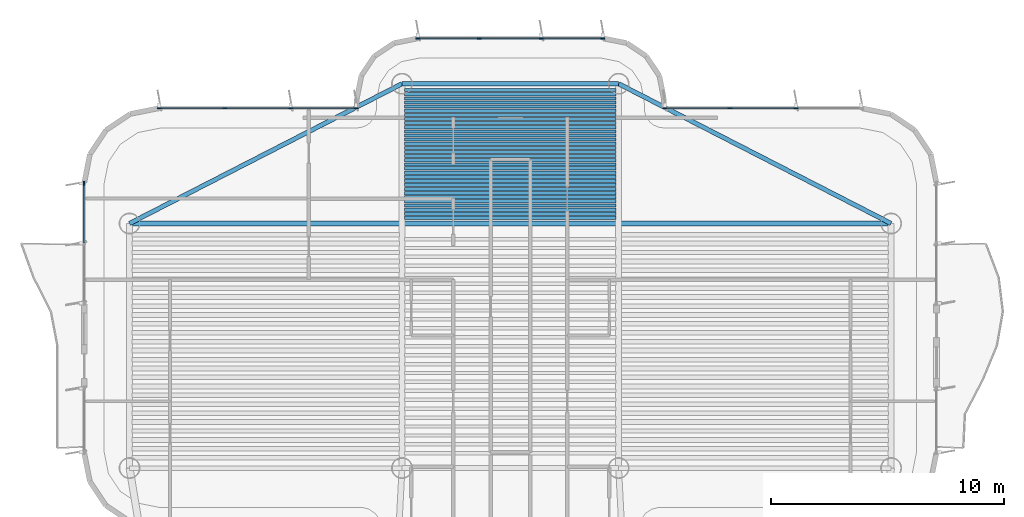
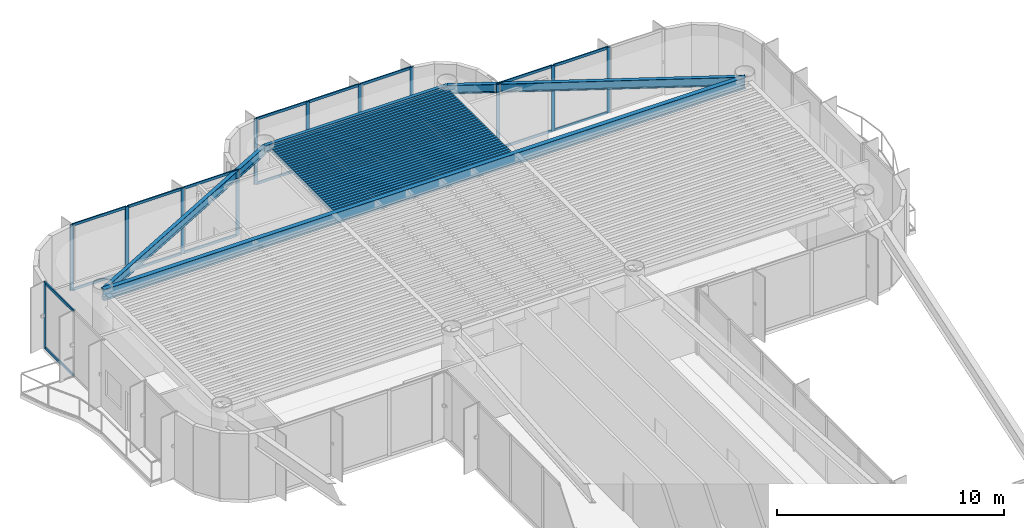
# One storey, part 7 of 15: 36 beams, 30 members, 4 elements without a shape of their own.
"""IFC4 building model written with IfcOpenShell, lengths in metres."""

from ifc_helpers import new_model, si_unit, direction, frame, origin, origin_2d, place, context, subcontext, project, spatial, rectangle, i_section, extrude, source, transform, mapped, material, layer, layer_set, material_profile, profile_set, type_object, element, aggregate, save


model = new_model("IFC4")

# Units and contexts
model_context = context("Model", 3, precision=1e-05, world=origin(), true_north=direction((0.0, 1.0)))
body_context = subcontext(model_context, "Body", "Model", "MODEL_VIEW")
ifc_project = project(units=[si_unit("LENGTHUNIT", "METRE"), si_unit("AREAUNIT", "SQUARE_METRE"), si_unit("VOLUMEUNIT", "CUBIC_METRE"), si_unit("PLANEANGLEUNIT", "RADIAN"), si_unit("MASSUNIT", "GRAM", prefix="KILO")], contexts=[model_context])

# Site, building, storey
site_placement = place(None, origin())
site = spatial("IfcSite", under=ifc_project, at=site_placement, CompositionType="ELEMENT")
building_placement = place(site_placement, origin())
building = spatial("IfcBuilding", under=site, at=building_placement, Name="Brelvock Crest Care Tower", CompositionType="ELEMENT")
storey_placement = place(building_placement, frame((0.0, 0.0, 275.93994140625)))
storey = spatial("IfcBuildingStorey", under=building, at=storey_placement, Name="L70", CompositionType="ELEMENT", Elevation=275.93994140625)

# Beams
ifc_material_1 = material(Name="Steel Grade 350", Category="steel")
ifc_material_profile_1 = material_profile(ifc_material_1, i_section(OverallWidth=0.177978515625, OverallDepth=0.406005859375, WebThickness=0.0078125, FlangeThickness=0.0126953125, FilletRadius=0.011474609375, at=origin_2d()), Name="410UB59.7")
ifc_profile_set_1 = profile_set([ifc_material_profile_1], Name="Steel Grade 350")
beam_type_1 = type_object("IfcBeamType", Name="BM-SP1", PredefinedType="SPANDREL", material=ifc_profile_set_1)
shared_shape_1 = source(origin(), body_context, "Body", "SweptSolid", [
    extrude(i_section(OverallWidth=0.177978515625, OverallDepth=0.406005859375, WebThickness=0.0078125, FlangeThickness=0.0126953125, FilletRadius=0.011474609375, at=origin_2d()), origin(), (0.0, 0.0, 1.0), 9.2998046875),
])
beam_1_placement = place(storey_placement, frame((31.35009765625, 60.449951171875, 3.3271484375), z_axis=(1.0, 0.0, 0.0), x_axis=(0.0, 1.0, 0.0)))
element("IfcBeam", 1, at=beam_1_placement, inside=storey, type_object=beam_type_1, Name="BM-TWR-L70-08", PredefinedType="SPANDREL", context=body_context, shape_type="MappedRepresentation", body=[
    mapped(shared_shape_1, transform((0.0, 0.0, 0.0), x_axis=(1.0, 0.0, 0.0), y_axis=(0.0, 1.0, 0.0), z_axis=(0.0, 0.0, 1.0), scale=1.0)),
])
ifc_material_profile_2 = material_profile(ifc_material_1, i_section(OverallWidth=0.14599609375, OverallDepth=0.256103515625, WebThickness=0.00634765625, FlangeThickness=0.010986328125, FilletRadius=0.0087890625, at=origin_2d()), Name="250UB37.3")
ifc_profile_set_2 = profile_set([ifc_material_profile_2], Name="Steel Grade 350")
beam_type_2 = type_object("IfcBeamType", Name="BM-J3", PredefinedType="JOIST", material=ifc_profile_set_2)
shared_shape_2 = source(origin(), body_context, "Body", "SweptSolid", [
    extrude(i_section(OverallWidth=0.14599609375, OverallDepth=0.256103515625, WebThickness=0.00634765625, FlangeThickness=0.010986328125, FilletRadius=0.0087890625, at=origin_2d()), origin(), (0.0, 0.0, 1.0), 9.06982421875),
])
for number, where, z_axis, x_axis, name in (
    (2, (31.465087890625, 54.68994140625, 3.402099609375), (1.0, 0.0, 0.0), (0.0, 1.0, 0.0), "BM-JN-L70-1"),
    (3, (31.465087890625, 54.866943359375, 3.402099609375), (1.0, 0.0, 0.0), (0.0, 1.0, 0.0), "BM-JN-L70-2"),
    (4, (31.465087890625, 55.0439453125, 3.402099609375), (1.0, 0.0, 0.0), (0.0, 1.0, 0.0), "BM-JN-L70-3"),
    (5, (31.465087890625, 55.220947265625, 3.402099609375), (1.0, 0.0, 0.0), (0.0, 1.0, 0.0), "BM-JN-L70-4"),
    (6, (31.465087890625, 55.39794921875, 3.402099609375), (1.0, 0.0, 0.0), (0.0, 1.0, 0.0), "BM-JN-L70-5"),
    (7, (31.465087890625, 55.574951171875, 3.402099609375), (1.0, 0.0, 0.0), (0.0, 1.0, 0.0), "BM-JN-L70-6"),
    (8, (31.465087890625, 55.751953125, 3.402099609375), (1.0, 0.0, 0.0), (0.0, 1.0, 0.0), "BM-JN-L70-7"),
    (9, (31.465087890625, 55.928955078125, 3.402099609375), (1.0, 0.0, 0.0), (0.0, 1.0, 0.0), "BM-JN-L70-8"),
    (10, (31.465087890625, 56.10595703125, 3.402099609375), (1.0, 0.0, 0.0), (0.0, 1.0, 0.0), "BM-JN-L70-9"),
    (11, (31.465087890625, 56.282958984375, 3.402099609375), (1.0, 0.0, 0.0), (0.0, 1.0, 0.0), "BM-JN-L70-10"),
    (12, (31.465087890625, 56.4599609375, 3.402099609375), (1.0, 0.0, 0.0), (0.0, 1.0, 0.0), "BM-JN-L70-11"),
    (13, (31.465087890625, 56.636962890625, 3.402099609375), (1.0, 0.0, 0.0), (0.0, 1.0, 0.0), "BM-JN-L70-12"),
    (14, (31.465087890625, 56.81396484375, 3.402099609375), (1.0, 0.0, 0.0), (0.0, 1.0, 0.0), "BM-JN-L70-13"),
):
    element("IfcBeam", number, at=place(storey_placement, frame(where, z_axis=z_axis, x_axis=x_axis)), inside=storey, type_object=beam_type_2, Name=name, PredefinedType="JOIST", context=body_context, shape_type="MappedRepresentation", body=[
        mapped(shared_shape_2, transform((0.0, 0.0, 0.0), x_axis=(1.0, 0.0, 0.0), y_axis=(0.0, 1.0, 0.0), z_axis=(0.0, 0.0, 1.0), scale=1.0)),
    ])
ifc_material_profile_3 = material_profile(ifc_material_1, i_section(OverallWidth=0.134033203125, OverallDepth=0.20703125, WebThickness=0.00634765625, FlangeThickness=0.009521484375, FilletRadius=0.0087890625, at=origin_2d()), Name="200UB29.8")
ifc_profile_set_3 = profile_set([ifc_material_profile_3], Name="Steel Grade 350")
beam_type_3 = type_object("IfcBeamType", Name="BM-J4", PredefinedType="JOIST", material=ifc_profile_set_3)
shared_shape_3 = source(origin(), body_context, "Body", "SweptSolid", [
    extrude(i_section(OverallWidth=0.134033203125, OverallDepth=0.20703125, WebThickness=0.00634765625, FlangeThickness=0.009521484375, FilletRadius=0.0087890625, at=origin_2d()), origin(), (0.0, 0.0, 1.0), 9.06982421875),
])
for number, where, z_axis, x_axis, name in (
    (15, (31.465087890625, 56.990966796875, 3.426513671875), (1.0, 0.0, 0.0), (0.0, 1.0, 0.0), "BM-JN-L70-14"),
    (16, (31.465087890625, 57.16796875, 3.426513671875), (1.0, 0.0, 0.0), (0.0, 1.0, 0.0), "BM-JN-L70-15"),
    (17, (31.465087890625, 57.344970703125, 3.426513671875), (1.0, 0.0, 0.0), (0.0, 1.0, 0.0), "BM-JN-L70-16"),
    (18, (31.465087890625, 57.52197265625, 3.426513671875), (1.0, 0.0, 0.0), (0.0, 1.0, 0.0), "BM-JN-L70-17"),
    (19, (31.465087890625, 57.698974609375, 3.426513671875), (1.0, 0.0, 0.0), (0.0, 1.0, 0.0), "BM-JN-L70-18"),
    (20, (31.465087890625, 57.8759765625, 3.426513671875), (1.0, 0.0, 0.0), (0.0, 1.0, 0.0), "BM-JN-L70-19"),
    (21, (31.465087890625, 58.052978515625, 3.426513671875), (1.0, 0.0, 0.0), (0.0, 1.0, 0.0), "BM-JN-L70-20"),
    (22, (31.465087890625, 58.22998046875, 3.426513671875), (1.0, 0.0, 0.0), (0.0, 1.0, 0.0), "BM-JN-L70-21"),
    (23, (31.465087890625, 58.406982421875, 3.426513671875), (1.0, 0.0, 0.0), (0.0, 1.0, 0.0), "BM-JN-L70-22"),
    (24, (31.465087890625, 58.583984375, 3.426513671875), (1.0, 0.0, 0.0), (0.0, 1.0, 0.0), "BM-JN-L70-23"),
    (25, (31.465087890625, 58.760986328125, 3.426513671875), (1.0, 0.0, 0.0), (0.0, 1.0, 0.0), "BM-JN-L70-24"),
    (26, (31.465087890625, 58.93798828125, 3.426513671875), (1.0, 0.0, 0.0), (0.0, 1.0, 0.0), "BM-JN-L70-25"),
    (27, (31.465087890625, 59.114990234375, 3.426513671875), (1.0, 0.0, 0.0), (0.0, 1.0, 0.0), "BM-JN-L70-26"),
    (28, (31.465087890625, 59.2919921875, 3.426513671875), (1.0, 0.0, 0.0), (0.0, 1.0, 0.0), "BM-JN-L70-27"),
    (29, (31.465087890625, 59.468994140625, 3.426513671875), (1.0, 0.0, 0.0), (0.0, 1.0, 0.0), "BM-JN-L70-28"),
    (30, (31.465087890625, 59.64599609375, 3.426513671875), (1.0, 0.0, 0.0), (0.0, 1.0, 0.0), "BM-JN-L70-29"),
    (31, (31.465087890625, 59.822998046875, 3.426513671875), (1.0, 0.0, 0.0), (0.0, 1.0, 0.0), "BM-JN-L70-30"),
    (32, (31.465087890625, 60.0, 3.426513671875), (1.0, 0.0, 0.0), (0.0, 1.0, 0.0), "BM-JN-L70-31"),
    (33, (31.465087890625, 60.177001953125, 3.426513671875), (1.0, 0.0, 0.0), (0.0, 1.0, 0.0), "BM-JN-L70-32"),
):
    element("IfcBeam", number, at=place(storey_placement, frame(where, z_axis=z_axis, x_axis=x_axis)), inside=storey, type_object=beam_type_3, Name=name, PredefinedType="JOIST", context=body_context, shape_type="MappedRepresentation", body=[
        mapped(shared_shape_3, transform((0.0, 0.0, 0.0), x_axis=(1.0, 0.0, 0.0), y_axis=(0.0, 1.0, 0.0), z_axis=(0.0, 0.0, 1.0), scale=1.0)),
    ])
ifc_material_profile_4 = material_profile(ifc_material_1, i_section(OverallWidth=0.19091796875, OverallDepth=0.4599609375, WebThickness=0.010009765625, FlangeThickness=0.01611328125, FilletRadius=0.011474609375, at=origin_2d()), Name="460UB82.1")
ifc_profile_set_4 = profile_set([ifc_material_profile_4], Name="Steel Grade 350")
beam_type_4 = type_object("IfcBeamType", Name="BM-SP2", PredefinedType="SPANDREL", material=ifc_profile_set_4)
shared_shape_4 = source(origin(), body_context, "Body", "SweptSolid", [
    extrude(i_section(OverallWidth=0.19091796875, OverallDepth=0.4599609375, WebThickness=0.010009765625, FlangeThickness=0.01611328125, FilletRadius=0.011474609375, at=origin_2d()), origin(), (0.0, 0.0, 1.0), 13.14892578125),
])
for number, where, z_axis, x_axis, name in (
    (34, (19.64990234375, 54.449951171875, 3.300048828125), (0.889820555736, 0.456310616346, 0.0), (-0.456310616346, 0.889820555736, 0.0), "BM-TWR-L70-06"),
    (35, (40.64990234375, 60.449951171875, 3.300048828125), (0.889820555736, -0.456310616346, 0.0), (0.456310616346, 0.889820555736, 0.0), "BM-TWR-L70-07"),
):
    element("IfcBeam", number, at=place(storey_placement, frame(where, z_axis=z_axis, x_axis=x_axis)), inside=storey, type_object=beam_type_4, Name=name, PredefinedType="SPANDREL", context=body_context, shape_type="MappedRepresentation", body=[
        mapped(shared_shape_4, transform((0.0, 0.0, 0.0), x_axis=(1.0, 0.0, 0.0), y_axis=(0.0, 1.0, 0.0), z_axis=(0.0, 0.0, 1.0), scale=1.0)),
    ])
ifc_material_profile_5 = material_profile(ifc_material_1, i_section(OverallWidth=0.22900390625, OverallDepth=0.612060546875, WebThickness=0.011962890625, FlangeThickness=0.01953125, FilletRadius=0.013916015625, at=origin_2d()), Name="610UB125")
ifc_profile_set_5 = profile_set([ifc_material_profile_5], Name="Steel Grade 350")
beam_type_5 = type_object("IfcBeamType", Name="BM-G1", PredefinedType="BEAM", material=ifc_profile_set_5)
shared_shape_5 = source(origin(), body_context, "Body", "SweptSolid", [
    extrude(i_section(OverallWidth=0.22900390625, OverallDepth=0.612060546875, WebThickness=0.011962890625, FlangeThickness=0.01953125, FilletRadius=0.013916015625, at=origin_2d()), origin(), (0.0, 0.0, 1.0), 32.7001953125),
])
beam_2_placement = place(storey_placement, frame((19.64990234375, 54.449951171875, 3.22412109375), z_axis=(1.0, 0.0, 0.0), x_axis=(0.0, 1.0, 0.0)))
element("IfcBeam", 36, at=beam_2_placement, inside=storey, type_object=beam_type_5, Name="BM-TWR-L70-11", PredefinedType="BEAM", context=body_context, shape_type="MappedRepresentation", body=[
    mapped(shared_shape_5, transform((0.0, 0.0, 0.0), x_axis=(1.0, 0.0, 0.0), y_axis=(0.0, 1.0, 0.0), z_axis=(0.0, 0.0, 1.0), scale=1.0)),
])

# Curtain wall, member
ifc_material_2 = material(Name="Dark Glass Double Glazed Low-E", Category="glass")
ifc_layer = layer(ifc_material_2, 0.239990234375, Name="CWS-5")
ifc_layer_set = layer_set([ifc_layer], Name="Dark Glass Double Glazed Low-E")
curtain_wall_type = type_object("IfcCurtainWallType", Name="CWS-5", PredefinedType="NOTDEFINED", material=ifc_layer_set)
curtain_wall_1_placement = place(storey_placement, origin())
curtain_wall_1 = element("IfcCurtainWall", 37, at=curtain_wall_1_placement, inside=storey, type_object=curtain_wall_type, Name="L70 Curtain Wall E17B", PredefinedType="NOTDEFINED")
ifc_material_3 = material(Name="Aluminium 6063-T6", Category="aluminium")
ifc_material_profile_6 = material_profile(ifc_material_3, rectangle(XDim=0.06005859375, YDim=0.179931640625, at=origin_2d()), Name="ALU60x180")
ifc_profile_set_6 = profile_set([ifc_material_profile_6], Name="Aluminium 6063-T6")
member_type_1 = type_object("IfcMemberType", Name="CWM-2", PredefinedType="MULLION", material=ifc_profile_set_6)
shared_shape_6 = source(origin(), body_context, "Body", "SweptSolid", [
    extrude(rectangle(XDim=0.06005859375, YDim=0.179931640625, at=origin_2d()), origin(), (0.0, 0.0, 1.0), 3.530029296875),
])
member_1_placement = place(storey_placement, frame((17.699951171875, 56.169921875, 0.0), z_axis=(0.0, 0.0, 1.0), x_axis=(-1.0, 0.0, 0.0)))
member_1 = element("IfcMember", 38, at=member_1_placement, type_object=member_type_1, Name="CW-5 mullion 3", PredefinedType="MULLION", context=body_context, shape_type="MappedRepresentation", body=[
    mapped(shared_shape_6, transform((0.0, 0.0, 0.0), x_axis=(1.0, 0.0, 0.0), y_axis=(0.0, 1.0, 0.0), z_axis=(0.0, 0.0, 1.0), scale=1.0)),
])

# Curtain wall, members
curtain_wall_2_placement = place(storey_placement, origin())
curtain_wall_2 = element("IfcCurtainWall", 39, at=curtain_wall_2_placement, inside=storey, type_object=curtain_wall_type, Name="L70 Curtain Wall E22", PredefinedType="NOTDEFINED")
member_2_placement = place(storey_placement, frame((20.929931640625, 59.39990234375, 0.0), z_axis=(0.0, 0.0, 1.0), x_axis=(0.0, 1.0, 0.0)))
member_2 = element("IfcMember", 40, at=member_2_placement, type_object=member_type_1, Name="CW-5 mullion 1", PredefinedType="MULLION", context=body_context, shape_type="MappedRepresentation", body=[
    mapped(shared_shape_6, transform((0.0, 0.0, 0.0), x_axis=(1.0, 0.0, 0.0), y_axis=(0.0, 1.0, 0.0), z_axis=(0.0, 0.0, 1.0), scale=1.0)),
])
member_3_placement = place(storey_placement, frame((23.7333984375, 59.39990234375, 0.0), z_axis=(0.0, 0.0, 1.0), x_axis=(0.0, 1.0, 0.0)))
member_3 = element("IfcMember", 41, at=member_3_placement, type_object=member_type_1, Name="CW-5 mullion 2", PredefinedType="MULLION", context=body_context, shape_type="MappedRepresentation", body=[
    mapped(shared_shape_6, transform((0.0, 0.0, 0.0), x_axis=(1.0, 0.0, 0.0), y_axis=(0.0, 1.0, 0.0), z_axis=(0.0, 0.0, 1.0), scale=1.0)),
])
member_4_placement = place(storey_placement, frame((26.566650390625, 59.39990234375, 0.0), z_axis=(0.0, 0.0, 1.0), x_axis=(0.0, 1.0, 0.0)))
member_4 = element("IfcMember", 42, at=member_4_placement, type_object=member_type_1, Name="CW-5 mullion 3", PredefinedType="MULLION", context=body_context, shape_type="MappedRepresentation", body=[
    mapped(shared_shape_6, transform((0.0, 0.0, 0.0), x_axis=(1.0, 0.0, 0.0), y_axis=(0.0, 1.0, 0.0), z_axis=(0.0, 0.0, 1.0), scale=1.0)),
])
member_5_placement = place(storey_placement, frame((29.3701171875, 59.39990234375, 0.0), z_axis=(0.0, 0.0, 1.0), x_axis=(0.0, 1.0, 0.0)))
member_5 = element("IfcMember", 43, at=member_5_placement, type_object=member_type_1, Name="CW-5 mullion 4", PredefinedType="MULLION", context=body_context, shape_type="MappedRepresentation", body=[
    mapped(shared_shape_6, transform((0.0, 0.0, 0.0), x_axis=(1.0, 0.0, 0.0), y_axis=(0.0, 1.0, 0.0), z_axis=(0.0, 0.0, 1.0), scale=1.0)),
])

curtain_wall_3_placement = place(storey_placement, origin())
curtain_wall_3 = element("IfcCurtainWall", 44, at=curtain_wall_3_placement, inside=storey, type_object=curtain_wall_type, Name="L70 Curtain Wall E28", PredefinedType="NOTDEFINED")
member_6_placement = place(storey_placement, frame((32.030029296875, 62.39990234375, 0.0), z_axis=(0.0, 0.0, 1.0), x_axis=(0.0, 1.0, 0.0)))
member_6 = element("IfcMember", 45, at=member_6_placement, type_object=member_type_1, Name="CW-5 mullion 1", PredefinedType="MULLION", context=body_context, shape_type="MappedRepresentation", body=[
    mapped(shared_shape_6, transform((0.0, 0.0, 0.0), x_axis=(1.0, 0.0, 0.0), y_axis=(0.0, 1.0, 0.0), z_axis=(0.0, 0.0, 1.0), scale=1.0)),
])
member_7_placement = place(storey_placement, frame((34.666748046875, 62.39990234375, 0.0), z_axis=(0.0, 0.0, 1.0), x_axis=(0.0, 1.0, 0.0)))
member_7 = element("IfcMember", 46, at=member_7_placement, type_object=member_type_1, Name="CW-5 mullion 2", PredefinedType="MULLION", context=body_context, shape_type="MappedRepresentation", body=[
    mapped(shared_shape_6, transform((0.0, 0.0, 0.0), x_axis=(1.0, 0.0, 0.0), y_axis=(0.0, 1.0, 0.0), z_axis=(0.0, 0.0, 1.0), scale=1.0)),
])
member_8_placement = place(storey_placement, frame((37.333251953125, 62.39990234375, 0.0), z_axis=(0.0, 0.0, 1.0), x_axis=(0.0, 1.0, 0.0)))
member_8 = element("IfcMember", 47, at=member_8_placement, type_object=member_type_1, Name="CW-5 mullion 3", PredefinedType="MULLION", context=body_context, shape_type="MappedRepresentation", body=[
    mapped(shared_shape_6, transform((0.0, 0.0, 0.0), x_axis=(1.0, 0.0, 0.0), y_axis=(0.0, 1.0, 0.0), z_axis=(0.0, 0.0, 1.0), scale=1.0)),
])
member_9_placement = place(storey_placement, frame((39.969970703125, 62.39990234375, 0.0), z_axis=(0.0, 0.0, 1.0), x_axis=(0.0, 1.0, 0.0)))
member_9 = element("IfcMember", 48, at=member_9_placement, type_object=member_type_1, Name="CW-5 mullion 4", PredefinedType="MULLION", context=body_context, shape_type="MappedRepresentation", body=[
    mapped(shared_shape_6, transform((0.0, 0.0, 0.0), x_axis=(1.0, 0.0, 0.0), y_axis=(0.0, 1.0, 0.0), z_axis=(0.0, 0.0, 1.0), scale=1.0)),
])

curtain_wall_4_placement = place(storey_placement, origin())
curtain_wall_4 = element("IfcCurtainWall", 49, at=curtain_wall_4_placement, inside=storey, type_object=curtain_wall_type, Name="L70 Curtain Wall E34", PredefinedType="NOTDEFINED")
member_10_placement = place(storey_placement, frame((42.6298828125, 59.39990234375, 0.0), z_axis=(0.0, 0.0, 1.0), x_axis=(0.0, 1.0, 0.0)))
member_10 = element("IfcMember", 50, at=member_10_placement, type_object=member_type_1, Name="CW-5 mullion 1", PredefinedType="MULLION", context=body_context, shape_type="MappedRepresentation", body=[
    mapped(shared_shape_6, transform((0.0, 0.0, 0.0), x_axis=(1.0, 0.0, 0.0), y_axis=(0.0, 1.0, 0.0), z_axis=(0.0, 0.0, 1.0), scale=1.0)),
])
member_11_placement = place(storey_placement, frame((45.433349609375, 59.39990234375, 0.0), z_axis=(0.0, 0.0, 1.0), x_axis=(0.0, 1.0, 0.0)))
member_11 = element("IfcMember", 51, at=member_11_placement, type_object=member_type_1, Name="CW-5 mullion 2", PredefinedType="MULLION", context=body_context, shape_type="MappedRepresentation", body=[
    mapped(shared_shape_6, transform((0.0, 0.0, 0.0), x_axis=(1.0, 0.0, 0.0), y_axis=(0.0, 1.0, 0.0), z_axis=(0.0, 0.0, 1.0), scale=1.0)),
])
member_12_placement = place(storey_placement, frame((48.2666015625, 59.39990234375, 0.0), z_axis=(0.0, 0.0, 1.0), x_axis=(0.0, 1.0, 0.0)))
member_12 = element("IfcMember", 52, at=member_12_placement, type_object=member_type_1, Name="CW-5 mullion 3", PredefinedType="MULLION", context=body_context, shape_type="MappedRepresentation", body=[
    mapped(shared_shape_6, transform((0.0, 0.0, 0.0), x_axis=(1.0, 0.0, 0.0), y_axis=(0.0, 1.0, 0.0), z_axis=(0.0, 0.0, 1.0), scale=1.0)),
])

# Member
ifc_material_profile_7 = material_profile(ifc_material_3, rectangle(XDim=0.06005859375, YDim=0.139892578125, at=origin_2d()), Name="ALU60x140")
ifc_profile_set_7 = profile_set([ifc_material_profile_7], Name="Aluminium 6063-T6")
member_type_2 = type_object("IfcMemberType", Name="CWT-2", PredefinedType="USERDEFINED", material=ifc_profile_set_7)
shared_shape_7 = source(origin(), body_context, "Body", "SweptSolid", [
    extrude(rectangle(XDim=0.06005859375, YDim=0.139892578125, at=origin_2d()), origin(), (0.0, 0.0, 1.0), 2.57666015625),
])
member_13_placement = place(storey_placement, frame((32.06005859375, 62.39990234375, 0.030029296875), z_axis=(1.0, 0.0, 0.0), x_axis=(0.0, 1.0, 0.0)))
member_13 = element("IfcMember", 53, at=member_13_placement, type_object=member_type_2, Name="CW-5 transom 1.1", ObjectType="TRANSOM", PredefinedType="USERDEFINED", context=body_context, shape_type="MappedRepresentation", body=[
    mapped(shared_shape_7, transform((0.0, 0.0, 0.0), x_axis=(1.0, 0.0, 0.0), y_axis=(0.0, 1.0, 0.0), z_axis=(0.0, 0.0, 1.0), scale=1.0)),
])

member_14_placement = place(storey_placement, frame((32.06005859375, 62.39990234375, 3.5), z_axis=(1.0, 0.0, 0.0), x_axis=(0.0, 1.0, 0.0)))
member_14 = element("IfcMember", 54, at=member_14_placement, type_object=member_type_2, Name="CW-5 transom 1.2", ObjectType="TRANSOM", PredefinedType="USERDEFINED", context=body_context, shape_type="MappedRepresentation", body=[
    mapped(shared_shape_7, transform((0.0, 0.0, 0.0), x_axis=(1.0, 0.0, 0.0), y_axis=(0.0, 1.0, 0.0), z_axis=(0.0, 0.0, 1.0), scale=1.0)),
])

member_15_placement = place(storey_placement, frame((37.36328125, 62.39990234375, 0.030029296875), z_axis=(1.0, 0.0, 0.0), x_axis=(0.0, 1.0, 0.0)))
member_15 = element("IfcMember", 55, at=member_15_placement, type_object=member_type_2, Name="CW-5 transom 3.1", ObjectType="TRANSOM", PredefinedType="USERDEFINED", context=body_context, shape_type="MappedRepresentation", body=[
    mapped(shared_shape_7, transform((0.0, 0.0, 0.0), x_axis=(1.0, 0.0, 0.0), y_axis=(0.0, 1.0, 0.0), z_axis=(0.0, 0.0, 1.0), scale=1.0)),
])

member_16_placement = place(storey_placement, frame((37.36328125, 62.39990234375, 3.5), z_axis=(1.0, 0.0, 0.0), x_axis=(0.0, 1.0, 0.0)))
member_16 = element("IfcMember", 56, at=member_16_placement, type_object=member_type_2, Name="CW-5 transom 3.2", ObjectType="TRANSOM", PredefinedType="USERDEFINED", context=body_context, shape_type="MappedRepresentation", body=[
    mapped(shared_shape_7, transform((0.0, 0.0, 0.0), x_axis=(1.0, 0.0, 0.0), y_axis=(0.0, 1.0, 0.0), z_axis=(0.0, 0.0, 1.0), scale=1.0)),
])

shared_shape_8 = source(origin(), body_context, "Body", "SweptSolid", [
    extrude(rectangle(XDim=0.06005859375, YDim=0.139892578125, at=origin_2d()), origin(), (0.0, 0.0, 1.0), 2.510009765625),
])
member_17_placement = place(storey_placement, frame((17.699951171875, 53.6298828125, 0.030029296875), z_axis=(0.0, 1.0, 0.0), x_axis=(-1.0, 0.0, 0.0)))
member_17 = element("IfcMember", 57, at=member_17_placement, type_object=member_type_2, Name="CW-5 transom 2.1", ObjectType="TRANSOM", PredefinedType="USERDEFINED", context=body_context, shape_type="MappedRepresentation", body=[
    mapped(shared_shape_8, transform((0.0, 0.0, 0.0), x_axis=(1.0, 0.0, 0.0), y_axis=(0.0, 1.0, 0.0), z_axis=(0.0, 0.0, 1.0), scale=1.0)),
])

member_18_placement = place(storey_placement, frame((17.699951171875, 53.6298828125, 3.5), z_axis=(0.0, 1.0, 0.0), x_axis=(-1.0, 0.0, 0.0)))
member_18 = element("IfcMember", 58, at=member_18_placement, type_object=member_type_2, Name="CW-5 transom 2.2", ObjectType="TRANSOM", PredefinedType="USERDEFINED", context=body_context, shape_type="MappedRepresentation", body=[
    mapped(shared_shape_8, transform((0.0, 0.0, 0.0), x_axis=(1.0, 0.0, 0.0), y_axis=(0.0, 1.0, 0.0), z_axis=(0.0, 0.0, 1.0), scale=1.0)),
])

aggregate(curtain_wall_1, [member_1, member_17, member_18])

shared_shape_9 = source(origin(), body_context, "Body", "SweptSolid", [
    extrude(rectangle(XDim=0.06005859375, YDim=0.139892578125, at=origin_2d()), origin(), (0.0, 0.0, 1.0), 2.743408203125),
])
member_19_placement = place(storey_placement, frame((20.9599609375, 59.39990234375, 0.030029296875), z_axis=(1.0, 0.0, 0.0), x_axis=(0.0, 1.0, 0.0)))
member_19 = element("IfcMember", 59, at=member_19_placement, type_object=member_type_2, Name="CW-5 transom 1.1", ObjectType="TRANSOM", PredefinedType="USERDEFINED", context=body_context, shape_type="MappedRepresentation", body=[
    mapped(shared_shape_9, transform((0.0, 0.0, 0.0), x_axis=(1.0, 0.0, 0.0), y_axis=(0.0, 1.0, 0.0), z_axis=(0.0, 0.0, 1.0), scale=1.0)),
])

member_20_placement = place(storey_placement, frame((20.9599609375, 59.39990234375, 3.5), z_axis=(1.0, 0.0, 0.0), x_axis=(0.0, 1.0, 0.0)))
member_20 = element("IfcMember", 60, at=member_20_placement, type_object=member_type_2, Name="CW-5 transom 1.2", ObjectType="TRANSOM", PredefinedType="USERDEFINED", context=body_context, shape_type="MappedRepresentation", body=[
    mapped(shared_shape_9, transform((0.0, 0.0, 0.0), x_axis=(1.0, 0.0, 0.0), y_axis=(0.0, 1.0, 0.0), z_axis=(0.0, 0.0, 1.0), scale=1.0)),
])

member_21_placement = place(storey_placement, frame((26.5966796875, 59.39990234375, 0.030029296875), z_axis=(1.0, 0.0, 0.0), x_axis=(0.0, 1.0, 0.0)))
member_21 = element("IfcMember", 61, at=member_21_placement, type_object=member_type_2, Name="CW-5 transom 3.1", ObjectType="TRANSOM", PredefinedType="USERDEFINED", context=body_context, shape_type="MappedRepresentation", body=[
    mapped(shared_shape_9, transform((0.0, 0.0, 0.0), x_axis=(1.0, 0.0, 0.0), y_axis=(0.0, 1.0, 0.0), z_axis=(0.0, 0.0, 1.0), scale=1.0)),
])

member_22_placement = place(storey_placement, frame((26.5966796875, 59.39990234375, 3.5), z_axis=(1.0, 0.0, 0.0), x_axis=(0.0, 1.0, 0.0)))
member_22 = element("IfcMember", 62, at=member_22_placement, type_object=member_type_2, Name="CW-5 transom 3.2", ObjectType="TRANSOM", PredefinedType="USERDEFINED", context=body_context, shape_type="MappedRepresentation", body=[
    mapped(shared_shape_9, transform((0.0, 0.0, 0.0), x_axis=(1.0, 0.0, 0.0), y_axis=(0.0, 1.0, 0.0), z_axis=(0.0, 0.0, 1.0), scale=1.0)),
])

member_23_placement = place(storey_placement, frame((42.659912109375, 59.39990234375, 0.030029296875), z_axis=(1.0, 0.0, 0.0), x_axis=(0.0, 1.0, 0.0)))
member_23 = element("IfcMember", 63, at=member_23_placement, type_object=member_type_2, Name="CW-5 transom 1.1", ObjectType="TRANSOM", PredefinedType="USERDEFINED", context=body_context, shape_type="MappedRepresentation", body=[
    mapped(shared_shape_9, transform((0.0, 0.0, 0.0), x_axis=(1.0, 0.0, 0.0), y_axis=(0.0, 1.0, 0.0), z_axis=(0.0, 0.0, 1.0), scale=1.0)),
])

member_24_placement = place(storey_placement, frame((42.659912109375, 59.39990234375, 3.5), z_axis=(1.0, 0.0, 0.0), x_axis=(0.0, 1.0, 0.0)))
member_24 = element("IfcMember", 64, at=member_24_placement, type_object=member_type_2, Name="CW-5 transom 1.2", ObjectType="TRANSOM", PredefinedType="USERDEFINED", context=body_context, shape_type="MappedRepresentation", body=[
    mapped(shared_shape_9, transform((0.0, 0.0, 0.0), x_axis=(1.0, 0.0, 0.0), y_axis=(0.0, 1.0, 0.0), z_axis=(0.0, 0.0, 1.0), scale=1.0)),
])

shared_shape_10 = source(origin(), body_context, "Body", "SweptSolid", [
    extrude(rectangle(XDim=0.06005859375, YDim=0.139892578125, at=origin_2d()), origin(), (0.0, 0.0, 1.0), 2.773193359375),
])
member_25_placement = place(storey_placement, frame((23.763427734375, 59.39990234375, 0.030029296875), z_axis=(1.0, 0.0, 0.0), x_axis=(0.0, 1.0, 0.0)))
member_25 = element("IfcMember", 65, at=member_25_placement, type_object=member_type_2, Name="CW-5 transom 2.1", ObjectType="TRANSOM", PredefinedType="USERDEFINED", context=body_context, shape_type="MappedRepresentation", body=[
    mapped(shared_shape_10, transform((0.0, 0.0, 0.0), x_axis=(1.0, 0.0, 0.0), y_axis=(0.0, 1.0, 0.0), z_axis=(0.0, 0.0, 1.0), scale=1.0)),
])

member_26_placement = place(storey_placement, frame((23.763427734375, 59.39990234375, 3.5), z_axis=(1.0, 0.0, 0.0), x_axis=(0.0, 1.0, 0.0)))
member_26 = element("IfcMember", 66, at=member_26_placement, type_object=member_type_2, Name="CW-5 transom 2.2", ObjectType="TRANSOM", PredefinedType="USERDEFINED", context=body_context, shape_type="MappedRepresentation", body=[
    mapped(shared_shape_10, transform((0.0, 0.0, 0.0), x_axis=(1.0, 0.0, 0.0), y_axis=(0.0, 1.0, 0.0), z_axis=(0.0, 0.0, 1.0), scale=1.0)),
])

aggregate(curtain_wall_2, [member_2, member_3, member_4, member_5, member_19, member_20, member_25, member_26, member_21, member_22])

member_27_placement = place(storey_placement, frame((45.46337890625, 59.39990234375, 0.030029296875), z_axis=(1.0, 0.0, 0.0), x_axis=(0.0, 1.0, 0.0)))
member_27 = element("IfcMember", 67, at=member_27_placement, type_object=member_type_2, Name="CW-5 transom 2.1", ObjectType="TRANSOM", PredefinedType="USERDEFINED", context=body_context, shape_type="MappedRepresentation", body=[
    mapped(shared_shape_10, transform((0.0, 0.0, 0.0), x_axis=(1.0, 0.0, 0.0), y_axis=(0.0, 1.0, 0.0), z_axis=(0.0, 0.0, 1.0), scale=1.0)),
])

member_28_placement = place(storey_placement, frame((45.46337890625, 59.39990234375, 3.5), z_axis=(1.0, 0.0, 0.0), x_axis=(0.0, 1.0, 0.0)))
member_28 = element("IfcMember", 68, at=member_28_placement, type_object=member_type_2, Name="CW-5 transom 2.2", ObjectType="TRANSOM", PredefinedType="USERDEFINED", context=body_context, shape_type="MappedRepresentation", body=[
    mapped(shared_shape_10, transform((0.0, 0.0, 0.0), x_axis=(1.0, 0.0, 0.0), y_axis=(0.0, 1.0, 0.0), z_axis=(0.0, 0.0, 1.0), scale=1.0)),
])

aggregate(curtain_wall_4, [member_10, member_11, member_12, member_23, member_24, member_27, member_28])

shared_shape_11 = source(origin(), body_context, "Body", "SweptSolid", [
    extrude(rectangle(XDim=0.06005859375, YDim=0.139892578125, at=origin_2d()), origin(), (0.0, 0.0, 1.0), 2.6064453125),
])
member_29_placement = place(storey_placement, frame((34.69677734375, 62.39990234375, 0.030029296875), z_axis=(1.0, 0.0, 0.0), x_axis=(0.0, 1.0, 0.0)))
member_29 = element("IfcMember", 69, at=member_29_placement, type_object=member_type_2, Name="CW-5 transom 2.1", ObjectType="TRANSOM", PredefinedType="USERDEFINED", context=body_context, shape_type="MappedRepresentation", body=[
    mapped(shared_shape_11, transform((0.0, 0.0, 0.0), x_axis=(1.0, 0.0, 0.0), y_axis=(0.0, 1.0, 0.0), z_axis=(0.0, 0.0, 1.0), scale=1.0)),
])

member_30_placement = place(storey_placement, frame((34.69677734375, 62.39990234375, 3.5), z_axis=(1.0, 0.0, 0.0), x_axis=(0.0, 1.0, 0.0)))
member_30 = element("IfcMember", 70, at=member_30_placement, type_object=member_type_2, Name="CW-5 transom 2.2", ObjectType="TRANSOM", PredefinedType="USERDEFINED", context=body_context, shape_type="MappedRepresentation", body=[
    mapped(shared_shape_11, transform((0.0, 0.0, 0.0), x_axis=(1.0, 0.0, 0.0), y_axis=(0.0, 1.0, 0.0), z_axis=(0.0, 0.0, 1.0), scale=1.0)),
])

aggregate(curtain_wall_3, [member_6, member_7, member_8, member_9, member_13, member_14, member_29, member_30, member_15, member_16])

save(model, "model.ifc")
